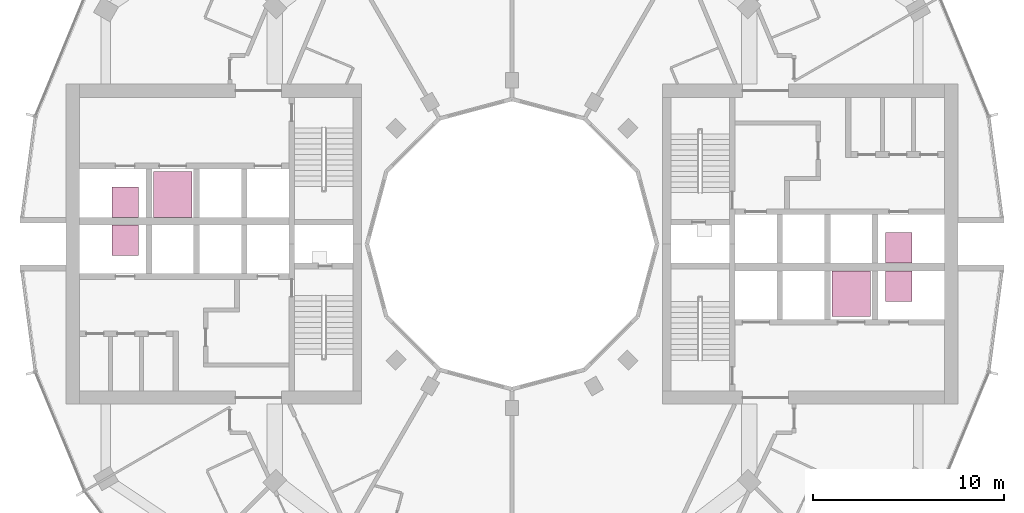
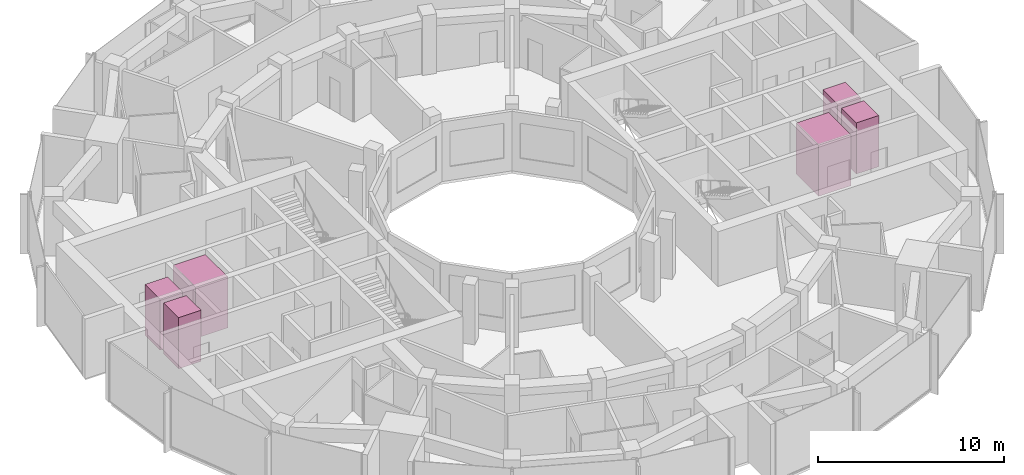
# One storey, part 15 of 15: 6 transport elements.
"""IFC4 building model written with IfcOpenShell, lengths in metres."""

from ifc_helpers import new_model, si_unit, direction, frame, origin, origin_2d, place, context, subcontext, project, spatial, rectangle, extrude, material, type_object, element, save


model = new_model("IFC4")

# Units and contexts
model_context = context("Model", 3, precision=1e-05, world=origin(), true_north=direction((0.0, 1.0)))
body_context = subcontext(model_context, "Body", "Model", "MODEL_VIEW")
ifc_project = project(units=[si_unit("LENGTHUNIT", "METRE"), si_unit("AREAUNIT", "SQUARE_METRE"), si_unit("VOLUMEUNIT", "CUBIC_METRE"), si_unit("PLANEANGLEUNIT", "RADIAN"), si_unit("MASSUNIT", "GRAM", prefix="KILO")], contexts=[model_context])

# Site, building, storey
site_placement = place(None, origin())
site = spatial("IfcSite", under=ifc_project, at=site_placement, CompositionType="ELEMENT")
building_placement = place(site_placement, origin())
building = spatial("IfcBuilding", under=site, at=building_placement, Name="Torre Brocal", CompositionType="ELEMENT")
storey_placement = place(building_placement, frame((0.0, 0.0, 130.199951171875)))
storey = spatial("IfcBuildingStorey", under=building, at=storey_placement, Name="L30", CompositionType="ELEMENT", Elevation=130.199951171875)

# Transport elements
ifc_material_1 = material(Name="Stainless steel AISI 316", Category="steel")
transport_element_type_1 = type_object("IfcTransportElementType", Name="PASSENGER LIFT 2000", PredefinedType="ELEVATOR", material=ifc_material_1)
for number, where, z_axis, x_axis, name in (
    (1, (97.800048828125, 72.39990234375, 0.0), (0.0, 0.0, 1.0), (1.0, 0.0, 0.0), "LOW RISE LIFT E-LR2"),
    (2, (62.199951171875, 77.60009765625, 0.0), (0.0, 0.0, 1.0), (1.0, 0.0, 0.0), "LOW RISE LIFT W-LR2"),
):
    element("IfcTransportElement", number, at=place(storey_placement, frame(where, z_axis=z_axis, x_axis=x_axis)), inside=storey, type_object=transport_element_type_1, Name=name, PredefinedType="ELEVATOR", context=body_context, shape_type="SweptSolid", body=[
        extrude(rectangle(XDim=2.0, YDim=2.39990234375, at=origin_2d()), origin(), (0.0, 0.0, 1.0), 3.35009765625),
    ])
ifc_material_2 = material(Name="Stainless steel AISI 316", Category="steel")
transport_element_type_2 = type_object("IfcTransportElementType", Name="PASSENGER LIFT 900", PredefinedType="ELEVATOR", material=ifc_material_2)
for number, where, z_axis, x_axis, name in (
    (3, (100.300048828125, 74.800048828125, 0.0), (0.0, 0.0, 1.0), (1.0, 0.0, 0.0), "LOW RISE LIFT E-LR1"),
    (4, (100.300048828125, 72.800048828125, 0.0), (0.0, 0.0, 1.0), (1.0, 0.0, 0.0), "LOW RISE LIFT E-LR3"),
    (5, (59.699951171875, 75.199951171875, 0.0), (0.0, 0.0, 1.0), (1.0, 0.0, 0.0), "LOW RISE LIFT W-LR1"),
    (6, (59.699951171875, 77.199951171875, 0.0), (0.0, 0.0, 1.0), (1.0, 0.0, 0.0), "LOW RISE LIFT W-LR3"),
):
    element("IfcTransportElement", number, at=place(storey_placement, frame(where, z_axis=z_axis, x_axis=x_axis)), inside=storey, type_object=transport_element_type_2, Name=name, PredefinedType="ELEVATOR", context=body_context, shape_type="SweptSolid", body=[
        extrude(rectangle(XDim=1.39990234375, YDim=1.60009765625, at=origin_2d()), origin(), (0.0, 0.0, 1.0), 3.35009765625),
    ])

save(model, "model.ifc")
